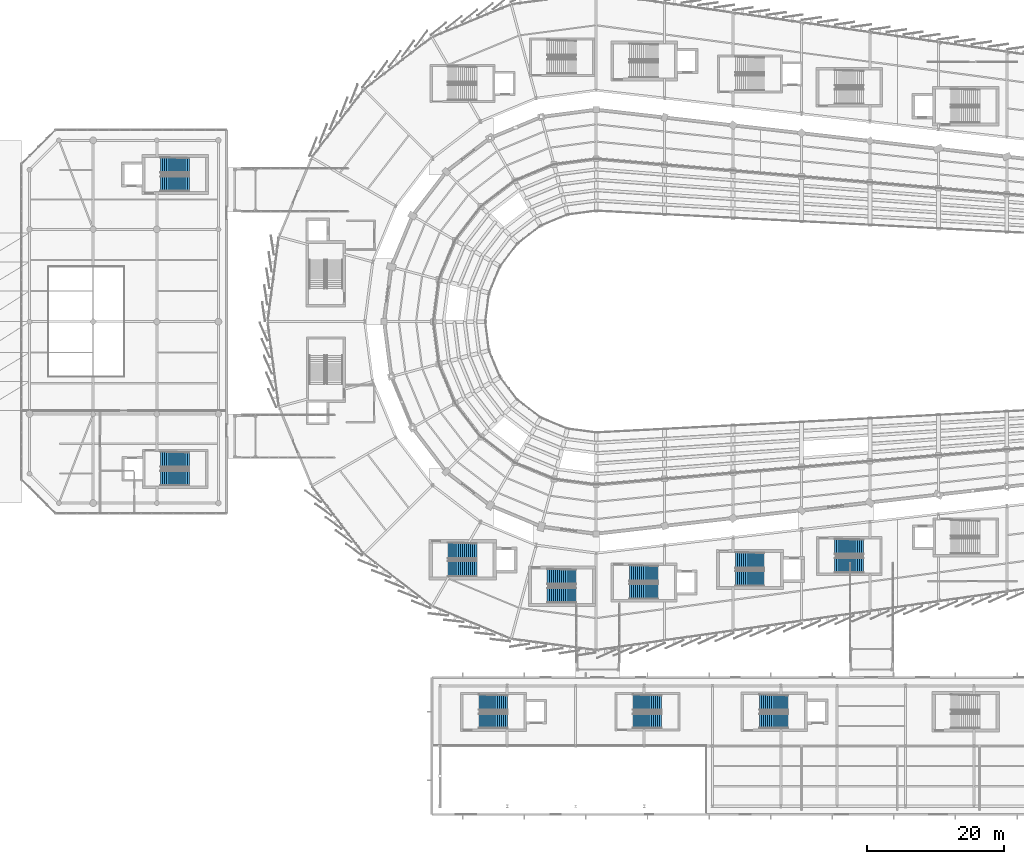
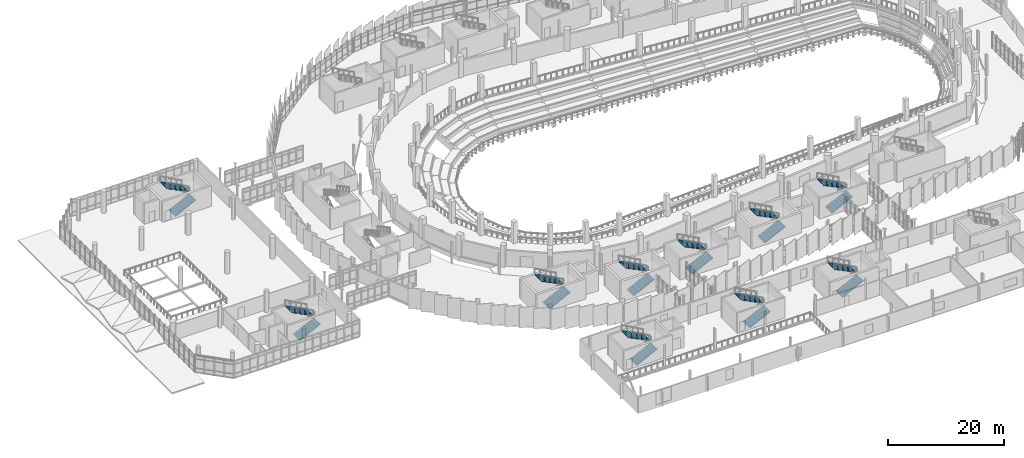
# One storey, part 117 of 134: 20 stair flights, 10 elements without a shape of their own.
"""IFC4 building model written with IfcOpenShell, lengths in metres."""

from ifc_helpers import new_model, si_unit, direction, frame, origin, place, context, subcontext, project, spatial, polyline, outline, extrude, material, type_object, element, aggregate, save


model = new_model("IFC4")

# Units and contexts
model_context = context("Model", 3, precision=1e-05, world=origin(), true_north=direction((0.0, 1.0)))
body_context = subcontext(model_context, "Body", "Model", "MODEL_VIEW")
ifc_project = project(units=[si_unit("LENGTHUNIT", "METRE"), si_unit("AREAUNIT", "SQUARE_METRE"), si_unit("VOLUMEUNIT", "CUBIC_METRE"), si_unit("PLANEANGLEUNIT", "RADIAN"), si_unit("MASSUNIT", "GRAM", prefix="KILO")], contexts=[model_context])

# Site, building, storey
site_placement = place(None, origin())
site = spatial("IfcSite", under=ifc_project, at=site_placement, CompositionType="ELEMENT")
building_placement = place(site_placement, origin())
building = spatial("IfcBuilding", under=site, at=building_placement, Name="Sohan Crest Arena", CompositionType="ELEMENT")
storey_placement = place(building_placement, frame((0.0, 0.0, 4.5)))
storey = spatial("IfcBuildingStorey", under=building, at=storey_placement, Name="L01", CompositionType="ELEMENT", Elevation=4.5)

# Stair, stair flights
ifc_material = material(Name="Concrete C40/50", Category="concrete")
stair_type_1 = type_object("IfcStairType", Name="ST-450W", PredefinedType="TWO_STRAIGHT_RUN_STAIR", material=ifc_material)
stair_1_placement = place(storey_placement, origin())
stair_1 = element("IfcStair", 1, at=stair_1_placement, inside=storey, type_object=stair_type_1, Name="Protected exit stair ST12-L01", PredefinedType="TWO_STRAIGHT_RUN_STAIR")
stair_flight_type_1 = type_object("IfcStairFlightType", Name="FL-220-15", PredefinedType="STRAIGHT", material=ifc_material)
stair_flight_1_placement = place(storey_placement, frame((103.35009765625, 19.64990234375, 0.0), z_axis=(0.0, 0.0, 1.0), x_axis=(1.0, 0.0, 0.0)))
stair_flight_1 = element("IfcStairFlight", 2, at=stair_flight_1_placement, type_object=stair_flight_type_1, Name="ST12-L01 flight 1", NumberOfRisers=15, NumberOfTreads=14, PredefinedType="STRAIGHT", RiserHeight=0.15, TreadLength=0.3, context=body_context, shape_type="SweptSolid", body=[
    extrude(outline(polyline([(0.0, 0.0), (0.0, 0.14990234375), (0.300048828125, 0.14990234375), (0.300048828125, 0.300048828125), (0.60009765625, 0.300048828125), (0.60009765625, 0.449951171875), (0.89990234375, 0.449951171875), (0.89990234375, 0.60009765625), (1.199951171875, 0.60009765625), (1.199951171875, 0.75), (1.5, 0.75), (1.5, 0.89990234375), (1.800048828125, 0.89990234375), (1.800048828125, 1.050048828125), (2.10009765625, 1.050048828125), (2.10009765625, 1.199951171875), (2.39990234375, 1.199951171875), (2.39990234375, 1.35009765625), (2.699951171875, 1.35009765625), (2.699951171875, 1.5), (3.0, 1.5), (3.0, 1.64990234375), (3.300048828125, 1.64990234375), (3.300048828125, 1.800048828125), (3.60009765625, 1.800048828125), (3.60009765625, 1.949951171875), (3.89990234375, 1.949951171875), (3.89990234375, 2.10009765625), (4.199951171875, 2.10009765625), (4.199951171875, 2.25), (4.199951171875, 1.932373046875), (0.335205078125, 0.0), (0.0, 0.0)])), frame((0.0, 1.10009765625, 0.0), z_axis=(0.0, -1.0, 0.0), x_axis=(1.0, 0.0, 0.0)), (0.0, 0.0, 1.0), 2.199951171875),
])
stair_flight_2_placement = place(storey_placement, frame((107.550048828125, 22.35009765625, 2.25), z_axis=(0.0, 0.0, 1.0), x_axis=(-1.0, 0.0, 0.0)))
stair_flight_2 = element("IfcStairFlight", 3, at=stair_flight_2_placement, type_object=stair_flight_type_1, Name="ST12-L01 flight 2", NumberOfRisers=15, NumberOfTreads=14, PredefinedType="STRAIGHT", RiserHeight=0.15, TreadLength=0.3, context=body_context, shape_type="SweptSolid", body=[
    extrude(outline(polyline([(0.0, 0.0), (0.0, 0.14990234375), (0.300048828125, 0.14990234375), (0.300048828125, 0.300048828125), (0.60009765625, 0.300048828125), (0.60009765625, 0.449951171875), (0.89990234375, 0.449951171875), (0.89990234375, 0.60009765625), (1.199951171875, 0.60009765625), (1.199951171875, 0.75), (1.5, 0.75), (1.5, 0.89990234375), (1.800048828125, 0.89990234375), (1.800048828125, 1.050048828125), (2.10009765625, 1.050048828125), (2.10009765625, 1.199951171875), (2.39990234375, 1.199951171875), (2.39990234375, 1.35009765625), (2.699951171875, 1.35009765625), (2.699951171875, 1.5), (3.0, 1.5), (3.0, 1.64990234375), (3.300048828125, 1.64990234375), (3.300048828125, 1.800048828125), (3.60009765625, 1.800048828125), (3.60009765625, 1.949951171875), (3.89990234375, 1.949951171875), (3.89990234375, 2.10009765625), (4.199951171875, 2.10009765625), (4.199951171875, 2.25), (4.199951171875, 1.932373046875), (0.335205078125, 0.0), (0.0, 0.0)])), frame((0.0, 1.10009765625, 0.0), z_axis=(0.0, -1.0, 0.0), x_axis=(1.0, 0.0, 0.0)), (0.0, 0.0, 1.0), 2.199951171875),
])
aggregate(stair_1, [stair_flight_1, stair_flight_2])

stair_2_placement = place(storey_placement, origin())
stair_2 = element("IfcStair", 4, at=stair_2_placement, inside=storey, type_object=stair_type_1, Name="Protected exit stair ST13-L01", PredefinedType="TWO_STRAIGHT_RUN_STAIR")
stair_flight_3_placement = place(storey_placement, frame((34.35009765625, 55.14990234375, 0.0), z_axis=(0.0, 0.0, 1.0), x_axis=(1.0, 0.0, 0.0)))
stair_flight_3 = element("IfcStairFlight", 5, at=stair_flight_3_placement, type_object=stair_flight_type_1, Name="ST13-L01 flight 1", NumberOfRisers=15, NumberOfTreads=14, PredefinedType="STRAIGHT", RiserHeight=0.15, TreadLength=0.3, context=body_context, shape_type="SweptSolid", body=[
    extrude(outline(polyline([(0.0, 0.0), (0.0, 0.14990234375), (0.300048828125, 0.14990234375), (0.300048828125, 0.300048828125), (0.60009765625, 0.300048828125), (0.60009765625, 0.449951171875), (0.89990234375, 0.449951171875), (0.89990234375, 0.60009765625), (1.199951171875, 0.60009765625), (1.199951171875, 0.75), (1.5, 0.75), (1.5, 0.89990234375), (1.800048828125, 0.89990234375), (1.800048828125, 1.050048828125), (2.10009765625, 1.050048828125), (2.10009765625, 1.199951171875), (2.39990234375, 1.199951171875), (2.39990234375, 1.35009765625), (2.699951171875, 1.35009765625), (2.699951171875, 1.5), (3.0, 1.5), (3.0, 1.64990234375), (3.300048828125, 1.64990234375), (3.300048828125, 1.800048828125), (3.60009765625, 1.800048828125), (3.60009765625, 1.949951171875), (3.89990234375, 1.949951171875), (3.89990234375, 2.10009765625), (4.199951171875, 2.10009765625), (4.199951171875, 2.25), (4.199951171875, 1.932373046875), (0.335205078125, 0.0), (0.0, 0.0)])), frame((0.0, 1.10009765625, 0.0), z_axis=(0.0, -1.0, 0.0), x_axis=(1.0, 0.0, 0.0)), (0.0, 0.0, 1.0), 2.199951171875),
])
stair_flight_4_placement = place(storey_placement, frame((38.550048828125, 57.85009765625, 2.25), z_axis=(0.0, 0.0, 1.0), x_axis=(-1.0, 0.0, 0.0)))
stair_flight_4 = element("IfcStairFlight", 6, at=stair_flight_4_placement, type_object=stair_flight_type_1, Name="ST13-L01 flight 2", NumberOfRisers=15, NumberOfTreads=14, PredefinedType="STRAIGHT", RiserHeight=0.15, TreadLength=0.3, context=body_context, shape_type="SweptSolid", body=[
    extrude(outline(polyline([(0.0, 0.0), (0.0, 0.14990234375), (0.300048828125, 0.14990234375), (0.300048828125, 0.300048828125), (0.60009765625, 0.300048828125), (0.60009765625, 0.449951171875), (0.89990234375, 0.449951171875), (0.89990234375, 0.60009765625), (1.199951171875, 0.60009765625), (1.199951171875, 0.75), (1.5, 0.75), (1.5, 0.89990234375), (1.800048828125, 0.89990234375), (1.800048828125, 1.050048828125), (2.10009765625, 1.050048828125), (2.10009765625, 1.199951171875), (2.39990234375, 1.199951171875), (2.39990234375, 1.35009765625), (2.699951171875, 1.35009765625), (2.699951171875, 1.5), (3.0, 1.5), (3.0, 1.64990234375), (3.300048828125, 1.64990234375), (3.300048828125, 1.800048828125), (3.60009765625, 1.800048828125), (3.60009765625, 1.949951171875), (3.89990234375, 1.949951171875), (3.89990234375, 2.10009765625), (4.199951171875, 2.10009765625), (4.199951171875, 2.25), (4.199951171875, 1.932373046875), (0.335205078125, 0.0), (0.0, 0.0)])), frame((0.0, 1.10009765625, 0.0), z_axis=(0.0, -1.0, 0.0), x_axis=(1.0, 0.0, 0.0)), (0.0, 0.0, 1.0), 2.199951171875),
])
aggregate(stair_2, [stair_flight_3, stair_flight_4])

stair_3_placement = place(storey_placement, origin())
stair_3 = element("IfcStair", 7, at=stair_3_placement, inside=storey, type_object=stair_type_1, Name="Protected exit stair ST14-L01", PredefinedType="TWO_STRAIGHT_RUN_STAIR")
stair_flight_5_placement = place(storey_placement, frame((34.35009765625, 98.14990234375, 0.0), z_axis=(0.0, 0.0, 1.0), x_axis=(1.0, 0.0, 0.0)))
stair_flight_5 = element("IfcStairFlight", 8, at=stair_flight_5_placement, type_object=stair_flight_type_1, Name="ST14-L01 flight 1", NumberOfRisers=15, NumberOfTreads=14, PredefinedType="STRAIGHT", RiserHeight=0.15, TreadLength=0.3, context=body_context, shape_type="SweptSolid", body=[
    extrude(outline(polyline([(0.0, 0.0), (0.0, 0.14990234375), (0.300048828125, 0.14990234375), (0.300048828125, 0.300048828125), (0.60009765625, 0.300048828125), (0.60009765625, 0.449951171875), (0.89990234375, 0.449951171875), (0.89990234375, 0.60009765625), (1.199951171875, 0.60009765625), (1.199951171875, 0.75), (1.5, 0.75), (1.5, 0.89990234375), (1.800048828125, 0.89990234375), (1.800048828125, 1.050048828125), (2.10009765625, 1.050048828125), (2.10009765625, 1.199951171875), (2.39990234375, 1.199951171875), (2.39990234375, 1.35009765625), (2.699951171875, 1.35009765625), (2.699951171875, 1.5), (3.0, 1.5), (3.0, 1.64990234375), (3.300048828125, 1.64990234375), (3.300048828125, 1.800048828125), (3.60009765625, 1.800048828125), (3.60009765625, 1.949951171875), (3.89990234375, 1.949951171875), (3.89990234375, 2.10009765625), (4.199951171875, 2.10009765625), (4.199951171875, 2.25), (4.199951171875, 1.932373046875), (0.335205078125, 0.0), (0.0, 0.0)])), frame((0.0, 1.10009765625, 0.0), z_axis=(0.0, -1.0, 0.0), x_axis=(1.0, 0.0, 0.0)), (0.0, 0.0, 1.0), 2.199951171875),
])
stair_flight_6_placement = place(storey_placement, frame((38.550048828125, 100.85009765625, 2.25), z_axis=(0.0, 0.0, 1.0), x_axis=(-1.0, 0.0, 0.0)))
stair_flight_6 = element("IfcStairFlight", 9, at=stair_flight_6_placement, type_object=stair_flight_type_1, Name="ST14-L01 flight 2", NumberOfRisers=15, NumberOfTreads=14, PredefinedType="STRAIGHT", RiserHeight=0.15, TreadLength=0.3, context=body_context, shape_type="SweptSolid", body=[
    extrude(outline(polyline([(0.0, 0.0), (0.0, 0.14990234375), (0.300048828125, 0.14990234375), (0.300048828125, 0.300048828125), (0.60009765625, 0.300048828125), (0.60009765625, 0.449951171875), (0.89990234375, 0.449951171875), (0.89990234375, 0.60009765625), (1.199951171875, 0.60009765625), (1.199951171875, 0.75), (1.5, 0.75), (1.5, 0.89990234375), (1.800048828125, 0.89990234375), (1.800048828125, 1.050048828125), (2.10009765625, 1.050048828125), (2.10009765625, 1.199951171875), (2.39990234375, 1.199951171875), (2.39990234375, 1.35009765625), (2.699951171875, 1.35009765625), (2.699951171875, 1.5), (3.0, 1.5), (3.0, 1.64990234375), (3.300048828125, 1.64990234375), (3.300048828125, 1.800048828125), (3.60009765625, 1.800048828125), (3.60009765625, 1.949951171875), (3.89990234375, 1.949951171875), (3.89990234375, 2.10009765625), (4.199951171875, 2.10009765625), (4.199951171875, 2.25), (4.199951171875, 1.932373046875), (0.335205078125, 0.0), (0.0, 0.0)])), frame((0.0, 1.10009765625, 0.0), z_axis=(0.0, -1.0, 0.0), x_axis=(1.0, 0.0, 0.0)), (0.0, 0.0, 1.0), 2.199951171875),
])
aggregate(stair_3, [stair_flight_5, stair_flight_6])

stair_4_placement = place(storey_placement, origin())
stair_4 = element("IfcStair", 10, at=stair_4_placement, inside=storey, type_object=stair_type_1, Name="Protected exit stair ST17-L01", PredefinedType="TWO_STRAIGHT_RUN_STAIR")
stair_flight_7_placement = place(storey_placement, frame((80.85009765625, 19.64990234375, 0.0), z_axis=(0.0, 0.0, 1.0), x_axis=(1.0, 0.0, 0.0)))
stair_flight_7 = element("IfcStairFlight", 11, at=stair_flight_7_placement, type_object=stair_flight_type_1, Name="ST17-L01 flight 1", NumberOfRisers=15, NumberOfTreads=14, PredefinedType="STRAIGHT", RiserHeight=0.15, TreadLength=0.3, context=body_context, shape_type="SweptSolid", body=[
    extrude(outline(polyline([(0.0, 0.0), (0.0, 0.14990234375), (0.300048828125, 0.14990234375), (0.300048828125, 0.300048828125), (0.60009765625, 0.300048828125), (0.60009765625, 0.449951171875), (0.89990234375, 0.449951171875), (0.89990234375, 0.60009765625), (1.199951171875, 0.60009765625), (1.199951171875, 0.75), (1.5, 0.75), (1.5, 0.89990234375), (1.800048828125, 0.89990234375), (1.800048828125, 1.050048828125), (2.10009765625, 1.050048828125), (2.10009765625, 1.199951171875), (2.39990234375, 1.199951171875), (2.39990234375, 1.35009765625), (2.699951171875, 1.35009765625), (2.699951171875, 1.5), (3.0, 1.5), (3.0, 1.64990234375), (3.300048828125, 1.64990234375), (3.300048828125, 1.800048828125), (3.60009765625, 1.800048828125), (3.60009765625, 1.949951171875), (3.89990234375, 1.949951171875), (3.89990234375, 2.10009765625), (4.199951171875, 2.10009765625), (4.199951171875, 2.25), (4.199951171875, 1.932373046875), (0.335205078125, 0.0), (0.0, 0.0)])), frame((0.0, 1.10009765625, 0.0), z_axis=(0.0, -1.0, 0.0), x_axis=(1.0, 0.0, 0.0)), (0.0, 0.0, 1.0), 2.199951171875),
])
stair_flight_8_placement = place(storey_placement, frame((85.050048828125, 22.35009765625, 2.25), z_axis=(0.0, 0.0, 1.0), x_axis=(-1.0, 0.0, 0.0)))
stair_flight_8 = element("IfcStairFlight", 12, at=stair_flight_8_placement, type_object=stair_flight_type_1, Name="ST17-L01 flight 2", NumberOfRisers=15, NumberOfTreads=14, PredefinedType="STRAIGHT", RiserHeight=0.15, TreadLength=0.3, context=body_context, shape_type="SweptSolid", body=[
    extrude(outline(polyline([(0.0, 0.0), (0.0, 0.14990234375), (0.300048828125, 0.14990234375), (0.300048828125, 0.300048828125), (0.60009765625, 0.300048828125), (0.60009765625, 0.449951171875), (0.89990234375, 0.449951171875), (0.89990234375, 0.60009765625), (1.199951171875, 0.60009765625), (1.199951171875, 0.75), (1.5, 0.75), (1.5, 0.89990234375), (1.800048828125, 0.89990234375), (1.800048828125, 1.050048828125), (2.10009765625, 1.050048828125), (2.10009765625, 1.199951171875), (2.39990234375, 1.199951171875), (2.39990234375, 1.35009765625), (2.699951171875, 1.35009765625), (2.699951171875, 1.5), (3.0, 1.5), (3.0, 1.64990234375), (3.300048828125, 1.64990234375), (3.300048828125, 1.800048828125), (3.60009765625, 1.800048828125), (3.60009765625, 1.949951171875), (3.89990234375, 1.949951171875), (3.89990234375, 2.10009765625), (4.199951171875, 2.10009765625), (4.199951171875, 2.25), (4.199951171875, 1.932373046875), (0.335205078125, 0.0), (0.0, 0.0)])), frame((0.0, 1.10009765625, 0.0), z_axis=(0.0, -1.0, 0.0), x_axis=(1.0, 0.0, 0.0)), (0.0, 0.0, 1.0), 2.199951171875),
])
aggregate(stair_4, [stair_flight_7, stair_flight_8])

stair_5_placement = place(storey_placement, origin())
stair_5 = element("IfcStair", 13, at=stair_5_placement, inside=storey, type_object=stair_type_1, Name="Protected exit stair ST18-L01", PredefinedType="TWO_STRAIGHT_RUN_STAIR")
stair_flight_9_placement = place(storey_placement, frame((121.85009765625, 19.64990234375, 0.0), z_axis=(0.0, 0.0, 1.0), x_axis=(1.0, 0.0, 0.0)))
stair_flight_9 = element("IfcStairFlight", 14, at=stair_flight_9_placement, type_object=stair_flight_type_1, Name="ST18-L01 flight 1", NumberOfRisers=15, NumberOfTreads=14, PredefinedType="STRAIGHT", RiserHeight=0.15, TreadLength=0.3, context=body_context, shape_type="SweptSolid", body=[
    extrude(outline(polyline([(0.0, 0.0), (0.0, 0.14990234375), (0.300048828125, 0.14990234375), (0.300048828125, 0.300048828125), (0.60009765625, 0.300048828125), (0.60009765625, 0.449951171875), (0.89990234375, 0.449951171875), (0.89990234375, 0.60009765625), (1.199951171875, 0.60009765625), (1.199951171875, 0.75), (1.5, 0.75), (1.5, 0.89990234375), (1.800048828125, 0.89990234375), (1.800048828125, 1.050048828125), (2.10009765625, 1.050048828125), (2.10009765625, 1.199951171875), (2.39990234375, 1.199951171875), (2.39990234375, 1.35009765625), (2.699951171875, 1.35009765625), (2.699951171875, 1.5), (3.0, 1.5), (3.0, 1.64990234375), (3.300048828125, 1.64990234375), (3.300048828125, 1.800048828125), (3.60009765625, 1.800048828125), (3.60009765625, 1.949951171875), (3.89990234375, 1.949951171875), (3.89990234375, 2.10009765625), (4.199951171875, 2.10009765625), (4.199951171875, 2.25), (4.199951171875, 1.932373046875), (0.335205078125, 0.0), (0.0, 0.0)])), frame((0.0, 1.10009765625, 0.0), z_axis=(0.0, -1.0, 0.0), x_axis=(1.0, 0.0, 0.0)), (0.0, 0.0, 1.0), 2.199951171875),
])
stair_flight_10_placement = place(storey_placement, frame((126.050048828125, 22.35009765625, 2.25), z_axis=(0.0, 0.0, 1.0), x_axis=(-1.0, 0.0, 0.0)))
stair_flight_10 = element("IfcStairFlight", 15, at=stair_flight_10_placement, type_object=stair_flight_type_1, Name="ST18-L01 flight 2", NumberOfRisers=15, NumberOfTreads=14, PredefinedType="STRAIGHT", RiserHeight=0.15, TreadLength=0.3, context=body_context, shape_type="SweptSolid", body=[
    extrude(outline(polyline([(0.0, 0.0), (0.0, 0.14990234375), (0.300048828125, 0.14990234375), (0.300048828125, 0.300048828125), (0.60009765625, 0.300048828125), (0.60009765625, 0.449951171875), (0.89990234375, 0.449951171875), (0.89990234375, 0.60009765625), (1.199951171875, 0.60009765625), (1.199951171875, 0.75), (1.5, 0.75), (1.5, 0.89990234375), (1.800048828125, 0.89990234375), (1.800048828125, 1.050048828125), (2.10009765625, 1.050048828125), (2.10009765625, 1.199951171875), (2.39990234375, 1.199951171875), (2.39990234375, 1.35009765625), (2.699951171875, 1.35009765625), (2.699951171875, 1.5), (3.0, 1.5), (3.0, 1.64990234375), (3.300048828125, 1.64990234375), (3.300048828125, 1.800048828125), (3.60009765625, 1.800048828125), (3.60009765625, 1.949951171875), (3.89990234375, 1.949951171875), (3.89990234375, 2.10009765625), (4.199951171875, 2.10009765625), (4.199951171875, 2.25), (4.199951171875, 1.932373046875), (0.335205078125, 0.0), (0.0, 0.0)])), frame((0.0, 1.10009765625, 0.0), z_axis=(0.0, -1.0, 0.0), x_axis=(1.0, 0.0, 0.0)), (0.0, 0.0, 1.0), 2.199951171875),
])
aggregate(stair_5, [stair_flight_9, stair_flight_10])

stair_6_placement = place(storey_placement, origin())
stair_6 = element("IfcStair", 16, at=stair_6_placement, inside=storey, type_object=stair_type_1, Name="Protected exit stair ST19-L01", PredefinedType="TWO_STRAIGHT_RUN_STAIR")
stair_flight_11_placement = place(storey_placement, frame((90.85009765625, 38.010009765625, 0.0), z_axis=(0.0, 0.0, 1.0), x_axis=(1.0, 0.0, 0.0)))
stair_flight_11 = element("IfcStairFlight", 17, at=stair_flight_11_placement, type_object=stair_flight_type_1, Name="ST19-L01 flight 1", NumberOfRisers=15, NumberOfTreads=14, PredefinedType="STRAIGHT", RiserHeight=0.15, TreadLength=0.3, context=body_context, shape_type="SweptSolid", body=[
    extrude(outline(polyline([(0.0, 0.0), (0.0, 0.14990234375), (0.300048828125, 0.14990234375), (0.300048828125, 0.300048828125), (0.60009765625, 0.300048828125), (0.60009765625, 0.449951171875), (0.89990234375, 0.449951171875), (0.89990234375, 0.60009765625), (1.199951171875, 0.60009765625), (1.199951171875, 0.75), (1.5, 0.75), (1.5, 0.89990234375), (1.800048828125, 0.89990234375), (1.800048828125, 1.050048828125), (2.10009765625, 1.050048828125), (2.10009765625, 1.199951171875), (2.39990234375, 1.199951171875), (2.39990234375, 1.35009765625), (2.699951171875, 1.35009765625), (2.699951171875, 1.5), (3.0, 1.5), (3.0, 1.64990234375), (3.300048828125, 1.64990234375), (3.300048828125, 1.800048828125), (3.60009765625, 1.800048828125), (3.60009765625, 1.949951171875), (3.89990234375, 1.949951171875), (3.89990234375, 2.10009765625), (4.199951171875, 2.10009765625), (4.199951171875, 2.25), (4.199951171875, 1.932373046875), (0.335205078125, 0.0), (0.0, 0.0)])), frame((0.0, 1.10009765625, 0.0), z_axis=(0.0, -1.0, 0.0), x_axis=(1.0, 0.0, 0.0)), (0.0, 0.0, 1.0), 2.199951171875),
])
stair_flight_12_placement = place(storey_placement, frame((95.050048828125, 40.7099609375, 2.25), z_axis=(0.0, 0.0, 1.0), x_axis=(-1.0, 0.0, 0.0)))
stair_flight_12 = element("IfcStairFlight", 18, at=stair_flight_12_placement, type_object=stair_flight_type_1, Name="ST19-L01 flight 2", NumberOfRisers=15, NumberOfTreads=14, PredefinedType="STRAIGHT", RiserHeight=0.15, TreadLength=0.3, context=body_context, shape_type="SweptSolid", body=[
    extrude(outline(polyline([(0.0, 0.0), (0.0, 0.14990234375), (0.300048828125, 0.14990234375), (0.300048828125, 0.300048828125), (0.60009765625, 0.300048828125), (0.60009765625, 0.449951171875), (0.89990234375, 0.449951171875), (0.89990234375, 0.60009765625), (1.199951171875, 0.60009765625), (1.199951171875, 0.75), (1.5, 0.75), (1.5, 0.89990234375), (1.800048828125, 0.89990234375), (1.800048828125, 1.050048828125), (2.10009765625, 1.050048828125), (2.10009765625, 1.199951171875), (2.39990234375, 1.199951171875), (2.39990234375, 1.35009765625), (2.699951171875, 1.35009765625), (2.699951171875, 1.5), (3.0, 1.5), (3.0, 1.64990234375), (3.300048828125, 1.64990234375), (3.300048828125, 1.800048828125), (3.60009765625, 1.800048828125), (3.60009765625, 1.949951171875), (3.89990234375, 1.949951171875), (3.89990234375, 2.10009765625), (4.199951171875, 2.10009765625), (4.199951171875, 2.25), (4.199951171875, 1.932373046875), (0.335205078125, 0.0), (0.0, 0.0)])), frame((0.0, 1.10009765625, 0.0), z_axis=(0.0, -1.0, 0.0), x_axis=(1.0, 0.0, 0.0)), (0.0, 0.0, 1.0), 2.199951171875),
])
aggregate(stair_6, [stair_flight_11, stair_flight_12])

stair_7_placement = place(storey_placement, origin())
stair_7 = element("IfcStair", 19, at=stair_7_placement, inside=storey, type_object=stair_type_1, Name="Protected exit stair ST21-L01", PredefinedType="TWO_STRAIGHT_RUN_STAIR")
stair_flight_13_placement = place(storey_placement, frame((132.85009765625, 42.39990234375, 0.0), z_axis=(0.0, 0.0, 1.0), x_axis=(1.0, 0.0, 0.0)))
stair_flight_13 = element("IfcStairFlight", 20, at=stair_flight_13_placement, type_object=stair_flight_type_1, Name="ST21-L01 flight 1", NumberOfRisers=15, NumberOfTreads=14, PredefinedType="STRAIGHT", RiserHeight=0.15, TreadLength=0.3, context=body_context, shape_type="SweptSolid", body=[
    extrude(outline(polyline([(0.0, 0.0), (0.0, 0.14990234375), (0.300048828125, 0.14990234375), (0.300048828125, 0.300048828125), (0.60009765625, 0.300048828125), (0.60009765625, 0.449951171875), (0.89990234375, 0.449951171875), (0.89990234375, 0.60009765625), (1.199951171875, 0.60009765625), (1.199951171875, 0.75), (1.5, 0.75), (1.5, 0.89990234375), (1.800048828125, 0.89990234375), (1.800048828125, 1.050048828125), (2.10009765625, 1.050048828125), (2.10009765625, 1.199951171875), (2.39990234375, 1.199951171875), (2.39990234375, 1.35009765625), (2.699951171875, 1.35009765625), (2.699951171875, 1.5), (3.0, 1.5), (3.0, 1.64990234375), (3.300048828125, 1.64990234375), (3.300048828125, 1.800048828125), (3.60009765625, 1.800048828125), (3.60009765625, 1.949951171875), (3.89990234375, 1.949951171875), (3.89990234375, 2.10009765625), (4.199951171875, 2.10009765625), (4.199951171875, 2.25), (4.199951171875, 1.932373046875), (0.335205078125, 0.0), (0.0, 0.0)])), frame((0.0, 1.10009765625, 0.0), z_axis=(0.0, -1.0, 0.0), x_axis=(1.0, 0.0, 0.0)), (0.0, 0.0, 1.0), 2.199951171875),
])
stair_flight_14_placement = place(storey_placement, frame((137.050048828125, 45.10009765625, 2.25), z_axis=(0.0, 0.0, 1.0), x_axis=(-1.0, 0.0, 0.0)))
stair_flight_14 = element("IfcStairFlight", 21, at=stair_flight_14_placement, type_object=stair_flight_type_1, Name="ST21-L01 flight 2", NumberOfRisers=15, NumberOfTreads=14, PredefinedType="STRAIGHT", RiserHeight=0.15, TreadLength=0.3, context=body_context, shape_type="SweptSolid", body=[
    extrude(outline(polyline([(0.0, 0.0), (0.0, 0.14990234375), (0.300048828125, 0.14990234375), (0.300048828125, 0.300048828125), (0.60009765625, 0.300048828125), (0.60009765625, 0.449951171875), (0.89990234375, 0.449951171875), (0.89990234375, 0.60009765625), (1.199951171875, 0.60009765625), (1.199951171875, 0.75), (1.5, 0.75), (1.5, 0.89990234375), (1.800048828125, 0.89990234375), (1.800048828125, 1.050048828125), (2.10009765625, 1.050048828125), (2.10009765625, 1.199951171875), (2.39990234375, 1.199951171875), (2.39990234375, 1.35009765625), (2.699951171875, 1.35009765625), (2.699951171875, 1.5), (3.0, 1.5), (3.0, 1.64990234375), (3.300048828125, 1.64990234375), (3.300048828125, 1.800048828125), (3.60009765625, 1.800048828125), (3.60009765625, 1.949951171875), (3.89990234375, 1.949951171875), (3.89990234375, 2.10009765625), (4.199951171875, 2.10009765625), (4.199951171875, 2.25), (4.199951171875, 1.932373046875), (0.335205078125, 0.0), (0.0, 0.0)])), frame((0.0, 1.10009765625, 0.0), z_axis=(0.0, -1.0, 0.0), x_axis=(1.0, 0.0, 0.0)), (0.0, 0.0, 1.0), 2.199951171875),
])
aggregate(stair_7, [stair_flight_13, stair_flight_14])

stair_type_2 = type_object("IfcStairType", Name="ST-450", PredefinedType="TWO_STRAIGHT_RUN_STAIR", material=ifc_material)
stair_8_placement = place(storey_placement, origin())
stair_8 = element("IfcStair", 22, at=stair_8_placement, inside=storey, type_object=stair_type_2, Name="Protected exit stair ST03-L01", PredefinedType="TWO_STRAIGHT_RUN_STAIR")
stair_flight_type_2 = type_object("IfcStairFlightType", Name="FL-260-15", PredefinedType="STRAIGHT", material=ifc_material)
stair_flight_15_placement = place(storey_placement, frame((76.35009765625, 41.89990234375, 0.0), z_axis=(0.0, 0.0, 1.0), x_axis=(1.0, 0.0, 0.0)))
stair_flight_15 = element("IfcStairFlight", 23, at=stair_flight_15_placement, type_object=stair_flight_type_2, Name="ST03-L01 flight 1", NumberOfRisers=15, NumberOfTreads=14, PredefinedType="STRAIGHT", RiserHeight=0.15, TreadLength=0.3, context=body_context, shape_type="SweptSolid", body=[
    extrude(outline(polyline([(0.0, 0.0), (0.0, 0.14990234375), (0.300048828125, 0.14990234375), (0.300048828125, 0.300048828125), (0.60009765625, 0.300048828125), (0.60009765625, 0.449951171875), (0.89990234375, 0.449951171875), (0.89990234375, 0.60009765625), (1.199951171875, 0.60009765625), (1.199951171875, 0.75), (1.5, 0.75), (1.5, 0.89990234375), (1.800048828125, 0.89990234375), (1.800048828125, 1.050048828125), (2.10009765625, 1.050048828125), (2.10009765625, 1.199951171875), (2.39990234375, 1.199951171875), (2.39990234375, 1.35009765625), (2.699951171875, 1.35009765625), (2.699951171875, 1.5), (3.0, 1.5), (3.0, 1.64990234375), (3.300048828125, 1.64990234375), (3.300048828125, 1.800048828125), (3.60009765625, 1.800048828125), (3.60009765625, 1.949951171875), (3.89990234375, 1.949951171875), (3.89990234375, 2.10009765625), (4.199951171875, 2.10009765625), (4.199951171875, 2.25), (4.199951171875, 1.932373046875), (0.335205078125, 0.0), (0.0, 0.0)])), frame((0.0, 1.14990234375, 0.0), z_axis=(0.0, -1.0, 0.0), x_axis=(1.0, 0.0, 0.0)), (0.0, 0.0, 1.0), 2.300048828125),
])
stair_flight_16_placement = place(storey_placement, frame((80.550048828125, 44.5, 2.25), z_axis=(0.0, 0.0, 1.0), x_axis=(-1.0, 0.0, 0.0)))
stair_flight_16 = element("IfcStairFlight", 24, at=stair_flight_16_placement, type_object=stair_flight_type_2, Name="ST03-L01 flight 2", NumberOfRisers=15, NumberOfTreads=14, PredefinedType="STRAIGHT", RiserHeight=0.15, TreadLength=0.3, context=body_context, shape_type="SweptSolid", body=[
    extrude(outline(polyline([(0.0, 0.0), (0.0, 0.14990234375), (0.300048828125, 0.14990234375), (0.300048828125, 0.300048828125), (0.60009765625, 0.300048828125), (0.60009765625, 0.449951171875), (0.89990234375, 0.449951171875), (0.89990234375, 0.60009765625), (1.199951171875, 0.60009765625), (1.199951171875, 0.75), (1.5, 0.75), (1.5, 0.89990234375), (1.800048828125, 0.89990234375), (1.800048828125, 1.050048828125), (2.10009765625, 1.050048828125), (2.10009765625, 1.199951171875), (2.39990234375, 1.199951171875), (2.39990234375, 1.35009765625), (2.699951171875, 1.35009765625), (2.699951171875, 1.5), (3.0, 1.5), (3.0, 1.64990234375), (3.300048828125, 1.64990234375), (3.300048828125, 1.800048828125), (3.60009765625, 1.800048828125), (3.60009765625, 1.949951171875), (3.89990234375, 1.949951171875), (3.89990234375, 2.10009765625), (4.199951171875, 2.10009765625), (4.199951171875, 2.25), (4.199951171875, 1.932373046875), (0.335205078125, 0.0), (0.0, 0.0)])), frame((0.0, 1.14990234375, 0.0), z_axis=(0.0, -1.0, 0.0), x_axis=(1.0, 0.0, 0.0)), (0.0, 0.0, 1.0), 2.300048828125),
])
aggregate(stair_8, [stair_flight_15, stair_flight_16])

stair_9_placement = place(storey_placement, origin())
stair_9 = element("IfcStair", 25, at=stair_9_placement, inside=storey, type_object=stair_type_2, Name="Protected exit stair ST05-L01", PredefinedType="TWO_STRAIGHT_RUN_STAIR")
stair_flight_17_placement = place(storey_placement, frame((102.85009765625, 38.60009765625, 0.0), z_axis=(0.0, 0.0, 1.0), x_axis=(1.0, 0.0, 0.0)))
stair_flight_17 = element("IfcStairFlight", 26, at=stair_flight_17_placement, type_object=stair_flight_type_2, Name="ST05-L01 flight 1", NumberOfRisers=15, NumberOfTreads=14, PredefinedType="STRAIGHT", RiserHeight=0.15, TreadLength=0.3, context=body_context, shape_type="SweptSolid", body=[
    extrude(outline(polyline([(0.0, 0.0), (0.0, 0.14990234375), (0.300048828125, 0.14990234375), (0.300048828125, 0.300048828125), (0.60009765625, 0.300048828125), (0.60009765625, 0.449951171875), (0.89990234375, 0.449951171875), (0.89990234375, 0.60009765625), (1.199951171875, 0.60009765625), (1.199951171875, 0.75), (1.5, 0.75), (1.5, 0.89990234375), (1.800048828125, 0.89990234375), (1.800048828125, 1.050048828125), (2.10009765625, 1.050048828125), (2.10009765625, 1.199951171875), (2.39990234375, 1.199951171875), (2.39990234375, 1.35009765625), (2.699951171875, 1.35009765625), (2.699951171875, 1.5), (3.0, 1.5), (3.0, 1.64990234375), (3.300048828125, 1.64990234375), (3.300048828125, 1.800048828125), (3.60009765625, 1.800048828125), (3.60009765625, 1.949951171875), (3.89990234375, 1.949951171875), (3.89990234375, 2.10009765625), (4.199951171875, 2.10009765625), (4.199951171875, 2.25), (4.199951171875, 1.932373046875), (0.335205078125, 0.0), (0.0, 0.0)])), frame((0.0, 1.14990234375, 0.0), z_axis=(0.0, -1.0, 0.0), x_axis=(1.0, 0.0, 0.0)), (0.0, 0.0, 1.0), 2.300048828125),
])
stair_flight_18_placement = place(storey_placement, frame((107.050048828125, 41.199951171875, 2.25), z_axis=(0.0, 0.0, 1.0), x_axis=(-1.0, 0.0, 0.0)))
stair_flight_18 = element("IfcStairFlight", 27, at=stair_flight_18_placement, type_object=stair_flight_type_2, Name="ST05-L01 flight 2", NumberOfRisers=15, NumberOfTreads=14, PredefinedType="STRAIGHT", RiserHeight=0.15, TreadLength=0.3, context=body_context, shape_type="SweptSolid", body=[
    extrude(outline(polyline([(0.0, 0.0), (0.0, 0.14990234375), (0.300048828125, 0.14990234375), (0.300048828125, 0.300048828125), (0.60009765625, 0.300048828125), (0.60009765625, 0.449951171875), (0.89990234375, 0.449951171875), (0.89990234375, 0.60009765625), (1.199951171875, 0.60009765625), (1.199951171875, 0.75), (1.5, 0.75), (1.5, 0.89990234375), (1.800048828125, 0.89990234375), (1.800048828125, 1.050048828125), (2.10009765625, 1.050048828125), (2.10009765625, 1.199951171875), (2.39990234375, 1.199951171875), (2.39990234375, 1.35009765625), (2.699951171875, 1.35009765625), (2.699951171875, 1.5), (3.0, 1.5), (3.0, 1.64990234375), (3.300048828125, 1.64990234375), (3.300048828125, 1.800048828125), (3.60009765625, 1.800048828125), (3.60009765625, 1.949951171875), (3.89990234375, 1.949951171875), (3.89990234375, 2.10009765625), (4.199951171875, 2.10009765625), (4.199951171875, 2.25), (4.199951171875, 1.932373046875), (0.335205078125, 0.0), (0.0, 0.0)])), frame((0.0, 1.14990234375, 0.0), z_axis=(0.0, -1.0, 0.0), x_axis=(1.0, 0.0, 0.0)), (0.0, 0.0, 1.0), 2.300048828125),
])
aggregate(stair_9, [stair_flight_17, stair_flight_18])

stair_10_placement = place(storey_placement, origin())
stair_10 = element("IfcStair", 28, at=stair_10_placement, inside=storey, type_object=stair_type_2, Name="Protected exit stair ST07-L01", PredefinedType="TWO_STRAIGHT_RUN_STAIR")
stair_flight_19_placement = place(storey_placement, frame((118.35009765625, 40.5, 0.0), z_axis=(0.0, 0.0, 1.0), x_axis=(1.0, 0.0, 0.0)))
stair_flight_19 = element("IfcStairFlight", 29, at=stair_flight_19_placement, type_object=stair_flight_type_2, Name="ST07-L01 flight 1", NumberOfRisers=15, NumberOfTreads=14, PredefinedType="STRAIGHT", RiserHeight=0.15, TreadLength=0.3, context=body_context, shape_type="SweptSolid", body=[
    extrude(outline(polyline([(0.0, 0.0), (0.0, 0.14990234375), (0.300048828125, 0.14990234375), (0.300048828125, 0.300048828125), (0.60009765625, 0.300048828125), (0.60009765625, 0.449951171875), (0.89990234375, 0.449951171875), (0.89990234375, 0.60009765625), (1.199951171875, 0.60009765625), (1.199951171875, 0.75), (1.5, 0.75), (1.5, 0.89990234375), (1.800048828125, 0.89990234375), (1.800048828125, 1.050048828125), (2.10009765625, 1.050048828125), (2.10009765625, 1.199951171875), (2.39990234375, 1.199951171875), (2.39990234375, 1.35009765625), (2.699951171875, 1.35009765625), (2.699951171875, 1.5), (3.0, 1.5), (3.0, 1.64990234375), (3.300048828125, 1.64990234375), (3.300048828125, 1.800048828125), (3.60009765625, 1.800048828125), (3.60009765625, 1.949951171875), (3.89990234375, 1.949951171875), (3.89990234375, 2.10009765625), (4.199951171875, 2.10009765625), (4.199951171875, 2.25), (4.199951171875, 1.932373046875), (0.335205078125, 0.0), (0.0, 0.0)])), frame((0.0, 1.14990234375, 0.0), z_axis=(0.0, -1.0, 0.0), x_axis=(1.0, 0.0, 0.0)), (0.0, 0.0, 1.0), 2.300048828125),
])
stair_flight_20_placement = place(storey_placement, frame((122.550048828125, 43.10009765625, 2.25), z_axis=(0.0, 0.0, 1.0), x_axis=(-1.0, 0.0, 0.0)))
stair_flight_20 = element("IfcStairFlight", 30, at=stair_flight_20_placement, type_object=stair_flight_type_2, Name="ST07-L01 flight 2", NumberOfRisers=15, NumberOfTreads=14, PredefinedType="STRAIGHT", RiserHeight=0.15, TreadLength=0.3, context=body_context, shape_type="SweptSolid", body=[
    extrude(outline(polyline([(0.0, 0.0), (0.0, 0.14990234375), (0.300048828125, 0.14990234375), (0.300048828125, 0.300048828125), (0.60009765625, 0.300048828125), (0.60009765625, 0.449951171875), (0.89990234375, 0.449951171875), (0.89990234375, 0.60009765625), (1.199951171875, 0.60009765625), (1.199951171875, 0.75), (1.5, 0.75), (1.5, 0.89990234375), (1.800048828125, 0.89990234375), (1.800048828125, 1.050048828125), (2.10009765625, 1.050048828125), (2.10009765625, 1.199951171875), (2.39990234375, 1.199951171875), (2.39990234375, 1.35009765625), (2.699951171875, 1.35009765625), (2.699951171875, 1.5), (3.0, 1.5), (3.0, 1.64990234375), (3.300048828125, 1.64990234375), (3.300048828125, 1.800048828125), (3.60009765625, 1.800048828125), (3.60009765625, 1.949951171875), (3.89990234375, 1.949951171875), (3.89990234375, 2.10009765625), (4.199951171875, 2.10009765625), (4.199951171875, 2.25), (4.199951171875, 1.932373046875), (0.335205078125, 0.0), (0.0, 0.0)])), frame((0.0, 1.14990234375, 0.0), z_axis=(0.0, -1.0, 0.0), x_axis=(1.0, 0.0, 0.0)), (0.0, 0.0, 1.0), 2.300048828125),
])
aggregate(stair_10, [stair_flight_19, stair_flight_20])

save(model, "model.ifc")
